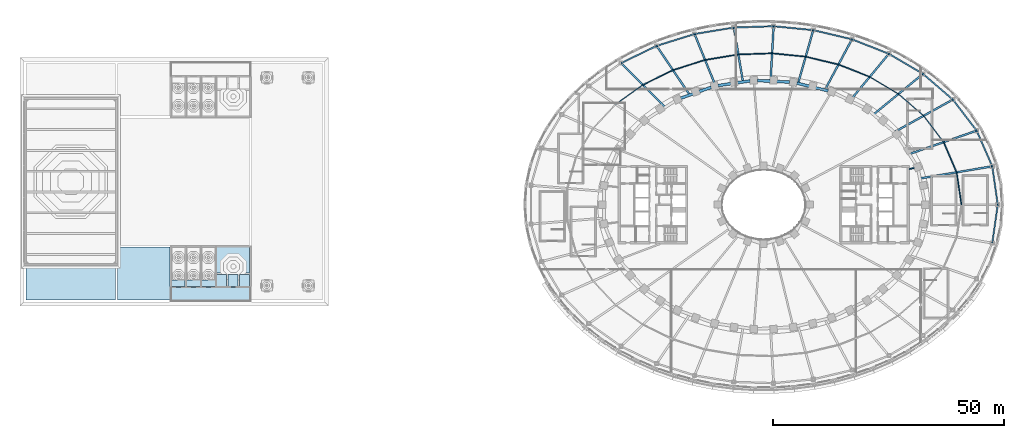
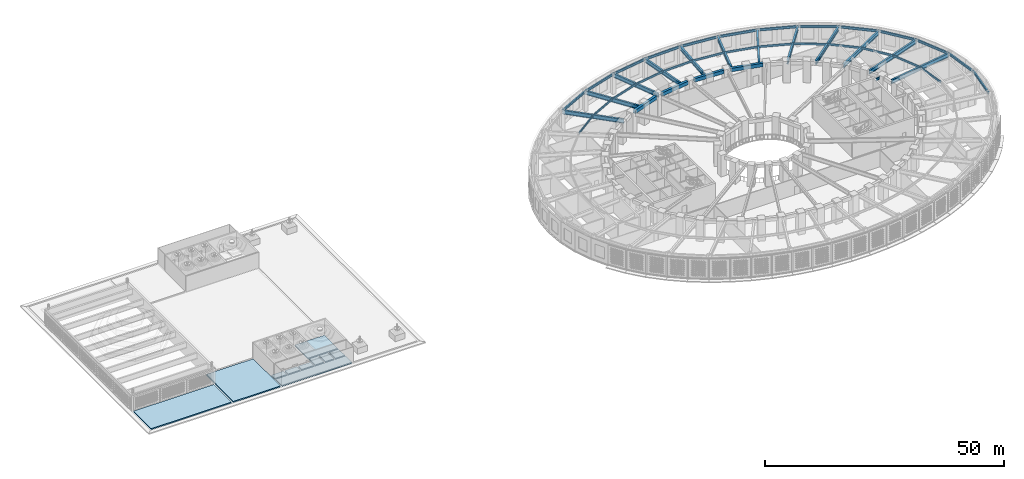
# One storey, part 5 of 63: 43 beams, 10 slabs.
"""IFC4 building model written with IfcOpenShell, lengths in metres."""

from ifc_helpers import new_model, si_unit, direction, frame, origin, origin_2d, place, context, subcontext, project, spatial, polyline, rectangle, i_section, outline, extrude, material, layer, layer_set, material_profile, profile_set, type_object, element, save


model = new_model("IFC4")

# Units and contexts
model_context = context("Model", 3, precision=1e-05, world=origin(), true_north=direction((0.0, 1.0)))
body_context = subcontext(model_context, "Body", "Model", "MODEL_VIEW")
ifc_project = project(units=[si_unit("LENGTHUNIT", "METRE"), si_unit("AREAUNIT", "SQUARE_METRE"), si_unit("VOLUMEUNIT", "CUBIC_METRE"), si_unit("PLANEANGLEUNIT", "RADIAN"), si_unit("MASSUNIT", "GRAM", prefix="KILO")], contexts=[model_context])

# Site, building, storey
site_placement = place(None, origin())
site = spatial("IfcSite", under=ifc_project, at=site_placement, CompositionType="ELEMENT")
building_placement = place(site_placement, origin())
building = spatial("IfcBuilding", under=site, at=building_placement, Name="Noorbagh Ring Tower", CompositionType="ELEMENT")
storey_placement = place(building_placement, frame((0.0, 0.0, 25.0)))
storey = spatial("IfcBuildingStorey", under=building, at=storey_placement, Name="L04", CompositionType="ELEMENT", Elevation=25.0)

# Beams
ifc_material_1 = material(Name="Steel S355", Category="steel")
ifc_material_profile_1 = material_profile(ifc_material_1, i_section(OverallWidth=0.300048828125, OverallDepth=0.60009765625, WebThickness=0.015380859375, FlangeThickness=0.030029296875, FilletRadius=0.027099609375, at=origin_2d()), Name="HEB600")
ifc_profile_set_1 = profile_set([ifc_material_profile_1], Name="Steel S355")
beam_type_1 = type_object("IfcBeamType", Name="GND-EDGE-BEAM-HEB600", PredefinedType="BEAM", material=ifc_profile_set_1)
beam_1_placement = place(storey_placement, frame((50.646484375, 0.0, 4.89990234375), z_axis=(-0.14132764164, 0.989962876934, 0.0), x_axis=(-0.989962876934, -0.14132764164, 0.0)))
element("IfcBeam", 1, at=beam_1_placement, inside=storey, type_object=beam_type_1, Name="L04/bm/ERP-01", PredefinedType="BEAM", context=body_context, shape_type="SweptSolid", body=[
    extrude(i_section(OverallWidth=0.300048828125, OverallDepth=0.60009765625, WebThickness=0.015380859375, FlangeThickness=0.030029296875, FilletRadius=0.027099609375, at=origin_2d()), origin(), (0.0, 0.0, 1.0), 8.388671875),
])
beam_2_placement = place(storey_placement, frame((49.4609375, 8.304443359375, 4.89990234375), z_axis=(-0.401171506371, 0.916002959862, 0.0), x_axis=(-0.916002959862, -0.401171506371, 0.0)))
element("IfcBeam", 2, at=beam_2_placement, inside=storey, type_object=beam_type_1, Name="L04/bm/ERP-02", PredefinedType="BEAM", context=body_context, shape_type="SweptSolid", body=[
    extrude(i_section(OverallWidth=0.300048828125, OverallDepth=0.60009765625, WebThickness=0.015380859375, FlangeThickness=0.030029296875, FilletRadius=0.027099609375, at=origin_2d()), origin(), (0.0, 0.0, 1.0), 8.42431640625),
])
beam_3_placement = place(storey_placement, frame((46.081298828125, 16.021240234375, 4.89990234375), z_axis=(-0.608048680374, 0.793899743227, 0.0), x_axis=(-0.793899743227, -0.608048680374, 0.0)))
element("IfcBeam", 3, at=beam_3_placement, inside=storey, type_object=beam_type_1, Name="L04/bm/ERP-03", PredefinedType="BEAM", context=body_context, shape_type="SweptSolid", body=[
    extrude(i_section(OverallWidth=0.300048828125, OverallDepth=0.60009765625, WebThickness=0.015380859375, FlangeThickness=0.030029296875, FilletRadius=0.027099609375, at=origin_2d()), origin(), (0.0, 0.0, 1.0), 8.4755859375),
])
beam_4_placement = place(storey_placement, frame((40.927734375, 22.75, 4.89990234375), z_axis=(-0.758254861469, 0.651958254076, 0.0), x_axis=(-0.651958254076, -0.758254861469, 0.0)))
element("IfcBeam", 4, at=beam_4_placement, inside=storey, type_object=beam_type_1, Name="L04/bm/ERP-04", PredefinedType="BEAM", context=body_context, shape_type="SweptSolid", body=[
    extrude(i_section(OverallWidth=0.300048828125, OverallDepth=0.60009765625, WebThickness=0.015380859375, FlangeThickness=0.030029296875, FilletRadius=0.027099609375, at=origin_2d()), origin(), (0.0, 0.0, 1.0), 8.5234375),
])
beam_5_placement = place(storey_placement, frame((34.46484375, 28.306884765625, 4.89990234375), z_axis=(-0.8618652907, 0.507137279922, 0.0), x_axis=(-0.507137279922, -0.8618652907, 0.0)))
element("IfcBeam", 5, at=beam_5_placement, inside=storey, type_object=beam_type_1, Name="L04/bm/ERP-05", PredefinedType="BEAM", context=body_context, shape_type="SweptSolid", body=[
    extrude(i_section(OverallWidth=0.300048828125, OverallDepth=0.60009765625, WebThickness=0.015380859375, FlangeThickness=0.030029296875, FilletRadius=0.027099609375, at=origin_2d()), origin(), (0.0, 0.0, 1.0), 8.560302734375),
])
beam_6_placement = place(storey_placement, frame((27.0869140625, 32.648193359375, 4.89990234375), z_axis=(-0.930571668723, 0.366109777758, 0.0), x_axis=(-0.366109777758, -0.930571668723, 0.0)))
element("IfcBeam", 6, at=beam_6_placement, inside=storey, type_object=beam_type_1, Name="L04/bm/ERP-06", PredefinedType="BEAM", context=body_context, shape_type="SweptSolid", body=[
    extrude(i_section(OverallWidth=0.300048828125, OverallDepth=0.60009765625, WebThickness=0.015380859375, FlangeThickness=0.030029296875, FilletRadius=0.027099609375, at=origin_2d()), origin(), (0.0, 0.0, 1.0), 8.58642578125),
])
beam_7_placement = place(storey_placement, frame((19.0966796875, 35.791748046875, 4.89990234375), z_axis=(-0.973167977411, 0.230095822957, 0.0), x_axis=(-0.230095822957, -0.973167977411, 0.0)))
element("IfcBeam", 7, at=beam_7_placement, inside=storey, type_object=beam_type_1, Name="L04/bm/ERP-07", PredefinedType="BEAM", context=body_context, shape_type="SweptSolid", body=[
    extrude(i_section(OverallWidth=0.300048828125, OverallDepth=0.60009765625, WebThickness=0.015380859375, FlangeThickness=0.030029296875, FilletRadius=0.027099609375, at=origin_2d()), origin(), (0.0, 0.0, 1.0), 8.602783203125),
])
beam_8_placement = place(storey_placement, frame((10.724609375, 37.771240234375, 4.89990234375), z_axis=(-0.9951967317, 0.097895174616, 0.0), x_axis=(-0.097895174616, -0.9951967317, 0.0)))
element("IfcBeam", 8, at=beam_8_placement, inside=storey, type_object=beam_type_1, Name="L04/bm/ERP-08", PredefinedType="BEAM", context=body_context, shape_type="SweptSolid", body=[
    extrude(i_section(OverallWidth=0.300048828125, OverallDepth=0.60009765625, WebThickness=0.015380859375, FlangeThickness=0.030029296875, FilletRadius=0.027099609375, at=origin_2d()), origin(), (0.0, 0.0, 1.0), 8.611328125),
])
beam_9_placement = place(storey_placement, frame((2.154541015625, 38.6142578125, 4.89990234375), z_axis=(-0.999468589483, -0.032596604688, 0.0), x_axis=(0.032596604688, -0.999468589483, 0.0)))
element("IfcBeam", 9, at=beam_9_placement, inside=storey, type_object=beam_type_1, Name="L04/bm/ERP-09", PredefinedType="BEAM", context=body_context, shape_type="SweptSolid", body=[
    extrude(i_section(OverallWidth=0.300048828125, OverallDepth=0.60009765625, WebThickness=0.015380859375, FlangeThickness=0.030029296875, FilletRadius=0.027099609375, at=origin_2d()), origin(), (0.0, 0.0, 1.0), 8.61328125),
])
beam_10_placement = place(storey_placement, frame((-6.4541015625, 38.33349609375, 4.89990234375), z_axis=(-0.986523163949, -0.163621658075, 0.0), x_axis=(0.163621658075, -0.986523163949, 0.0)))
element("IfcBeam", 10, at=beam_10_placement, inside=storey, type_object=beam_type_1, Name="L04/bm/ERP-10", PredefinedType="BEAM", context=body_context, shape_type="SweptSolid", body=[
    extrude(i_section(OverallWidth=0.300048828125, OverallDepth=0.60009765625, WebThickness=0.015380859375, FlangeThickness=0.030029296875, FilletRadius=0.027099609375, at=origin_2d()), origin(), (0.0, 0.0, 1.0), 8.60791015625),
])
beam_11_placement = place(storey_placement, frame((-14.946044921875, 36.925048828125, 4.89990234375), z_axis=(-0.954717204091, -0.297514806713, 0.0), x_axis=(0.297514806713, -0.954717204091, 0.0)))
element("IfcBeam", 11, at=beam_11_placement, inside=storey, type_object=beam_type_1, Name="L04/bm/ERP-11", PredefinedType="BEAM", context=body_context, shape_type="SweptSolid", body=[
    extrude(i_section(OverallWidth=0.300048828125, OverallDepth=0.60009765625, WebThickness=0.015380859375, FlangeThickness=0.030029296875, FilletRadius=0.027099609375, at=origin_2d()), origin(), (0.0, 0.0, 1.0), 8.595703125),
])
beam_12_placement = place(storey_placement, frame((-23.152587890625, 34.36767578125, 4.89990234375), z_axis=(-0.89994920641, -0.435994754421, 0.0), x_axis=(0.435994754421, -0.89994920641, 0.0)))
element("IfcBeam", 12, at=beam_12_placement, inside=storey, type_object=beam_type_1, Name="L04/bm/ERP-12", PredefinedType="BEAM", context=body_context, shape_type="SweptSolid", body=[
    extrude(i_section(OverallWidth=0.300048828125, OverallDepth=0.60009765625, WebThickness=0.015380859375, FlangeThickness=0.030029296875, FilletRadius=0.027099609375, at=origin_2d()), origin(), (0.0, 0.0, 1.0), 8.57470703125),
])
beam_13_placement = place(storey_placement, frame((49.4609375, -8.304443359375, 4.89990234375), z_axis=(0.14132764164, 0.989962876934, 0.0), x_axis=(-0.989962876934, 0.14132764164, 0.0)))
element("IfcBeam", 13, at=beam_13_placement, inside=storey, type_object=beam_type_1, Name="L04/bm/ERP-33", PredefinedType="BEAM", context=body_context, shape_type="SweptSolid", body=[
    extrude(i_section(OverallWidth=0.300048828125, OverallDepth=0.60009765625, WebThickness=0.015380859375, FlangeThickness=0.030029296875, FilletRadius=0.027099609375, at=origin_2d()), origin(), (0.0, 0.0, 1.0), 8.388671875),
])
ifc_material_2 = material(Name="Steel S355", Category="steel")
ifc_material_profile_2 = material_profile(ifc_material_2, i_section(OverallWidth=0.39990234375, OverallDepth=1.0, WebThickness=0.01611328125, FlangeThickness=0.0400390625, at=origin_2d()), Name="PG1000x400x16x40")
ifc_profile_set_2 = profile_set([ifc_material_profile_2], Name="Steel S355")
beam_type_2 = type_object("IfcBeamType", Name="GND-GIRDER-PG1000x400x16x40", PredefinedType="BEAM", material=ifc_profile_set_2)
beam_14_placement = place(storey_placement, frame((49.4609375, 8.304443359375, 4.699951171875), z_axis=(-0.986194768087, -0.165589490602, 0.0), x_axis=(0.165589490602, -0.986194768087, 0.0)))
element("IfcBeam", 14, at=beam_14_placement, inside=storey, type_object=beam_type_2, Name="L04/bm/GRP-02", PredefinedType="BEAM", context=body_context, shape_type="SweptSolid", body=[
    extrude(i_section(OverallWidth=0.39990234375, OverallDepth=1.0, WebThickness=0.01611328125, FlangeThickness=0.0400390625, at=origin_2d()), origin(), (0.0, 0.0, 1.0), 15.62841796875),
])
beam_15_placement = place(storey_placement, frame((46.081298828125, 16.021240234375, 4.699951171875), z_axis=(-0.94453989429, -0.328396693185, 0.0), x_axis=(0.328396693185, -0.94453989429, 0.0)))
element("IfcBeam", 15, at=beam_15_placement, inside=storey, type_object=beam_type_2, Name="L04/bm/GRP-03", PredefinedType="BEAM", context=body_context, shape_type="SweptSolid", body=[
    extrude(i_section(OverallWidth=0.39990234375, OverallDepth=1.0, WebThickness=0.01611328125, FlangeThickness=0.0400390625, at=origin_2d()), origin(), (0.0, 0.0, 1.0), 15.12890625),
])
beam_16_placement = place(storey_placement, frame((40.927734375, 22.75, 4.699951171875), z_axis=(-0.874045637009, -0.485843827197, 0.0), x_axis=(0.485843827197, -0.874045637009, 0.0)))
element("IfcBeam", 16, at=beam_16_placement, inside=storey, type_object=beam_type_2, Name="L04/bm/GRP-04", PredefinedType="BEAM", context=body_context, shape_type="SweptSolid", body=[
    extrude(i_section(OverallWidth=0.39990234375, OverallDepth=1.0, WebThickness=0.01611328125, FlangeThickness=0.0400390625, at=origin_2d()), origin(), (0.0, 0.0, 1.0), 14.444580078125),
])
beam_17_placement = place(storey_placement, frame((34.46484375, 28.306884765625, 4.699951171875), z_axis=(-0.772763025599, -0.63469465593, 0.0), x_axis=(0.63469465593, -0.772763025599, 0.0)))
element("IfcBeam", 17, at=beam_17_placement, inside=storey, type_object=beam_type_2, Name="L04/bm/GRP-05", PredefinedType="BEAM", context=body_context, shape_type="SweptSolid", body=[
    extrude(i_section(OverallWidth=0.39990234375, OverallDepth=1.0, WebThickness=0.01611328125, FlangeThickness=0.0400390625, at=origin_2d()), origin(), (0.0, 0.0, 1.0), 13.723388671875),
])
beam_18_placement = place(storey_placement, frame((27.0869140625, 32.648193359375, 4.699951171875), z_axis=(-0.638516852805, -0.769607840841, 0.0), x_axis=(0.769607840841, -0.638516852805, 0.0)))
element("IfcBeam", 18, at=beam_18_placement, inside=storey, type_object=beam_type_2, Name="L04/bm/GRP-06", PredefinedType="BEAM", context=body_context, shape_type="SweptSolid", body=[
    extrude(i_section(OverallWidth=0.39990234375, OverallDepth=1.0, WebThickness=0.01611328125, FlangeThickness=0.0400390625, at=origin_2d()), origin(), (0.0, 0.0, 1.0), 12.943603515625),
])
beam_19_placement = place(storey_placement, frame((19.0966796875, 35.791748046875, 4.699951171875), z_axis=(-0.470746944877, -0.88226827773, 0.0), x_axis=(0.88226827773, -0.470746944877, 0.0)))
element("IfcBeam", 19, at=beam_19_placement, inside=storey, type_object=beam_type_2, Name="L04/bm/GRP-07", PredefinedType="BEAM", context=body_context, shape_type="SweptSolid", body=[
    extrude(i_section(OverallWidth=0.39990234375, OverallDepth=1.0, WebThickness=0.01611328125, FlangeThickness=0.0400390625, at=origin_2d()), origin(), (0.0, 0.0, 1.0), 12.375),
])
beam_20_placement = place(storey_placement, frame((10.724609375, 37.771240234375, 4.699951171875), z_axis=(-0.273130016452, -0.961977127645, 0.0), x_axis=(0.961977127645, -0.273130016452, 0.0)))
element("IfcBeam", 20, at=beam_20_placement, inside=storey, type_object=beam_type_2, Name="L04/bm/GRP-08", PredefinedType="BEAM", context=body_context, shape_type="SweptSolid", body=[
    extrude(i_section(OverallWidth=0.39990234375, OverallDepth=1.0, WebThickness=0.01611328125, FlangeThickness=0.0400390625, at=origin_2d()), origin(), (0.0, 0.0, 1.0), 11.939208984375),
])
beam_21_placement = place(storey_placement, frame((2.154541015625, 38.6142578125, 4.699951171875), z_axis=(-0.055716608816, -0.998446623261, 0.0), x_axis=(0.998446623261, -0.055716608816, 0.0)))
element("IfcBeam", 21, at=beam_21_placement, inside=storey, type_object=beam_type_2, Name="L04/bm/GRP-09", PredefinedType="BEAM", context=body_context, shape_type="SweptSolid", body=[
    extrude(i_section(OverallWidth=0.39990234375, OverallDepth=1.0, WebThickness=0.01611328125, FlangeThickness=0.0400390625, at=origin_2d()), origin(), (0.0, 0.0, 1.0), 11.734619140625),
])
beam_22_placement = place(storey_placement, frame((-6.4541015625, 38.33349609375, 4.699951171875), z_axis=(0.166032765637, -0.986120236449, 0.0), x_axis=(0.986120236449, 0.166032765637, 0.0)))
element("IfcBeam", 22, at=beam_22_placement, inside=storey, type_object=beam_type_2, Name="L04/bm/GRP-10", PredefinedType="BEAM", context=body_context, shape_type="SweptSolid", body=[
    extrude(i_section(OverallWidth=0.39990234375, OverallDepth=1.0, WebThickness=0.01611328125, FlangeThickness=0.0400390625, at=origin_2d()), origin(), (0.0, 0.0, 1.0), 11.82373046875),
])
beam_23_placement = place(storey_placement, frame((-14.946044921875, 36.925048828125, 4.699951171875), z_axis=(0.375201842514, -0.926943135998, 0.0), x_axis=(0.926943135998, 0.375201842514, 0.0)))
element("IfcBeam", 23, at=beam_23_placement, inside=storey, type_object=beam_type_2, Name="L04/bm/GRP-11", PredefinedType="BEAM", context=body_context, shape_type="SweptSolid", body=[
    extrude(i_section(OverallWidth=0.39990234375, OverallDepth=1.0, WebThickness=0.01611328125, FlangeThickness=0.0400390625, at=origin_2d()), origin(), (0.0, 0.0, 1.0), 12.094970703125),
])
beam_24_placement = place(storey_placement, frame((-23.152587890625, 34.36767578125, 4.699951171875), z_axis=(0.558711358029, -0.829362175656, 0.0), x_axis=(0.829362175656, 0.558711358029, 0.0)))
element("IfcBeam", 24, at=beam_24_placement, inside=storey, type_object=beam_type_2, Name="L04/bm/GRP-12", PredefinedType="BEAM", context=body_context, shape_type="SweptSolid", body=[
    extrude(i_section(OverallWidth=0.39990234375, OverallDepth=1.0, WebThickness=0.01611328125, FlangeThickness=0.0400390625, at=origin_2d()), origin(), (0.0, 0.0, 1.0), 12.6630859375),
])
beam_25_placement = place(storey_placement, frame((-30.869384765625, 30.629150390625, 4.699951171875), z_axis=(0.70986613718, -0.704336615039, 0.0), x_axis=(0.704336615039, 0.70986613718, 0.0)))
element("IfcBeam", 25, at=beam_25_placement, inside=storey, type_object=beam_type_2, Name="L04/bm/GRP-13", PredefinedType="BEAM", context=body_context, shape_type="SweptSolid", body=[
    extrude(i_section(OverallWidth=0.39990234375, OverallDepth=1.0, WebThickness=0.01611328125, FlangeThickness=0.0400390625, at=origin_2d()), origin(), (0.0, 0.0, 1.0), 13.333984375),
])
ifc_material_3 = material(Name="Steel S355", Category="steel")
ifc_material_profile_3 = material_profile(ifc_material_3, i_section(OverallWidth=0.199951171875, OverallDepth=0.5, WebThickness=0.01025390625, FlangeThickness=0.01611328125, FilletRadius=0.02099609375, at=origin_2d()), Name="IPE500")
ifc_profile_set_3 = profile_set([ifc_material_profile_3], Name="Steel S355")
beam_type_3 = type_object("IfcBeamType", Name="GND-MID-BEAM-IPE500", PredefinedType="JOIST", material=ifc_profile_set_3)
beam_26_placement = place(storey_placement, frame((42.795654296875, 0.0, 4.949951171875), z_axis=(-0.146883230649, 0.989153838669, 0.0), x_axis=(-0.989153838669, -0.146883230649, 0.0)))
element("IfcBeam", 26, at=beam_26_placement, inside=storey, type_object=beam_type_3, Name="L04/bm/MRP-01", PredefinedType="JOIST", context=body_context, shape_type="SweptSolid", body=[
    extrude(i_section(OverallWidth=0.199951171875, OverallDepth=0.5, WebThickness=0.01025390625, FlangeThickness=0.01611328125, FilletRadius=0.02099609375, at=origin_2d()), origin(), (0.0, 0.0, 1.0), 7.08740234375),
])
beam_27_placement = place(storey_placement, frame((41.754638671875, 7.010498046875, 4.949951171875), z_axis=(-0.396441936779, 0.918059796943, 0.0), x_axis=(-0.918059796943, -0.396441936779, 0.0)))
element("IfcBeam", 27, at=beam_27_placement, inside=storey, type_object=beam_type_3, Name="L04/bm/MRP-02", PredefinedType="JOIST", context=body_context, shape_type="SweptSolid", body=[
    extrude(i_section(OverallWidth=0.199951171875, OverallDepth=0.5, WebThickness=0.01025390625, FlangeThickness=0.01611328125, FilletRadius=0.02099609375, at=origin_2d()), origin(), (0.0, 0.0, 1.0), 7.109130859375),
])
beam_28_placement = place(storey_placement, frame((38.936279296875, 13.537109375, 4.949951171875), z_axis=(-0.603852432952, 0.79709612922, 0.0), x_axis=(-0.79709612922, -0.603852432952, 0.0)))
element("IfcBeam", 28, at=beam_28_placement, inside=storey, type_object=beam_type_3, Name="L04/bm/MRP-03", PredefinedType="JOIST", context=body_context, shape_type="SweptSolid", body=[
    extrude(i_section(OverallWidth=0.199951171875, OverallDepth=0.5, WebThickness=0.01025390625, FlangeThickness=0.01611328125, FilletRadius=0.02099609375, at=origin_2d()), origin(), (0.0, 0.0, 1.0), 7.15576171875),
])
beam_29_placement = place(storey_placement, frame((34.615234375, 19.240966796875, 4.949951171875), z_axis=(-0.756711012056, 0.653749527138, 0.0), x_axis=(-0.653749527138, -0.756711012056, 0.0)))
element("IfcBeam", 29, at=beam_29_placement, inside=storey, type_object=beam_type_3, Name="L04/bm/MRP-04", PredefinedType="JOIST", context=body_context, shape_type="SweptSolid", body=[
    extrude(i_section(OverallWidth=0.199951171875, OverallDepth=0.5, WebThickness=0.01025390625, FlangeThickness=0.01611328125, FilletRadius=0.02099609375, at=origin_2d()), origin(), (0.0, 0.0, 1.0), 7.2060546875),
])
beam_30_placement = place(storey_placement, frame((29.162353515625, 23.951904296875, 4.949951171875), z_axis=(-0.858046251749, 0.513572419293, 0.0), x_axis=(-0.513572419293, -0.858046251749, 0.0)))
element("IfcBeam", 30, at=beam_30_placement, inside=storey, type_object=beam_type_3, Name="L04/bm/MRP-05", PredefinedType="JOIST", context=body_context, shape_type="SweptSolid", body=[
    extrude(i_section(OverallWidth=0.199951171875, OverallDepth=0.5, WebThickness=0.01025390625, FlangeThickness=0.01611328125, FilletRadius=0.02099609375, at=origin_2d()), origin(), (0.0, 0.0, 1.0), 7.23486328125),
])
beam_31_placement = place(storey_placement, frame((22.95458984375, 27.66748046875, 4.949951171875), z_axis=(-0.930496782909, 0.36630006415, 0.0), x_axis=(-0.36630006415, -0.930496782909, 0.0)))
element("IfcBeam", 31, at=beam_31_placement, inside=storey, type_object=beam_type_3, Name="L04/bm/MRP-06", PredefinedType="JOIST", context=body_context, shape_type="SweptSolid", body=[
    extrude(i_section(OverallWidth=0.199951171875, OverallDepth=0.5, WebThickness=0.01025390625, FlangeThickness=0.01611328125, FilletRadius=0.02099609375, at=origin_2d()), origin(), (0.0, 0.0, 1.0), 7.276123046875),
])
beam_32_placement = place(storey_placement, frame((16.18408203125, 30.332763671875, 4.949951171875), z_axis=(-0.972568186564, 0.23261797541, 0.0), x_axis=(-0.23261797541, -0.972568186564, 0.0)))
element("IfcBeam", 32, at=beam_32_placement, inside=storey, type_object=beam_type_3, Name="L04/bm/MRP-07", PredefinedType="JOIST", context=body_context, shape_type="SweptSolid", body=[
    extrude(i_section(OverallWidth=0.199951171875, OverallDepth=0.5, WebThickness=0.01025390625, FlangeThickness=0.01611328125, FilletRadius=0.02099609375, at=origin_2d()), origin(), (0.0, 0.0, 1.0), 7.2900390625),
])
beam_33_placement = place(storey_placement, frame((9.093994140625, 32.028564453125, 4.949951171875), z_axis=(-0.99502493545, 0.099626190493, 0.0), x_axis=(-0.099626190493, -0.99502493545, 0.0)))
element("IfcBeam", 33, at=beam_33_placement, inside=storey, type_object=beam_type_3, Name="L04/bm/MRP-08", PredefinedType="JOIST", context=body_context, shape_type="SweptSolid", body=[
    extrude(i_section(OverallWidth=0.199951171875, OverallDepth=0.5, WebThickness=0.01025390625, FlangeThickness=0.01611328125, FilletRadius=0.02099609375, at=origin_2d()), origin(), (0.0, 0.0, 1.0), 7.302734375),
])
beam_34_placement = place(storey_placement, frame((1.82763671875, 32.756103515625, 4.949951171875), z_axis=(-0.999402620435, -0.034560125398, 0.0), x_axis=(0.034560125398, -0.999402620435, 0.0)))
element("IfcBeam", 34, at=beam_34_placement, inside=storey, type_object=beam_type_3, Name="L04/bm/MRP-09", PredefinedType="JOIST", context=body_context, shape_type="SweptSolid", body=[
    extrude(i_section(OverallWidth=0.199951171875, OverallDepth=0.5, WebThickness=0.01025390625, FlangeThickness=0.01611328125, FilletRadius=0.02099609375, at=origin_2d()), origin(), (0.0, 0.0, 1.0), 7.304443359375),
])
beam_35_placement = place(storey_placement, frame((-5.472412109375, 32.503662109375, 4.949951171875), z_axis=(-0.986756598534, -0.162207938309, 0.0), x_axis=(0.162207938309, -0.986756598534, 0.0)))
element("IfcBeam", 35, at=beam_35_placement, inside=storey, type_object=beam_type_3, Name="L04/bm/MRP-10", PredefinedType="JOIST", context=body_context, shape_type="SweptSolid", body=[
    extrude(i_section(OverallWidth=0.199951171875, OverallDepth=0.5, WebThickness=0.01025390625, FlangeThickness=0.01611328125, FilletRadius=0.02099609375, at=origin_2d()), origin(), (0.0, 0.0, 1.0), 7.30126953125),
])
beam_36_placement = place(storey_placement, frame((-12.677001953125, 31.3193359375, 4.949951171875), z_axis=(-0.9531202752, -0.302591706765, 0.0), x_axis=(0.302591706765, -0.9531202752, 0.0)))
element("IfcBeam", 36, at=beam_36_placement, inside=storey, type_object=beam_type_3, Name="L04/bm/MRP-11", PredefinedType="JOIST", context=body_context, shape_type="SweptSolid", body=[
    extrude(i_section(OverallWidth=0.199951171875, OverallDepth=0.5, WebThickness=0.01025390625, FlangeThickness=0.01611328125, FilletRadius=0.02099609375, at=origin_2d()), origin(), (0.0, 0.0, 1.0), 7.279296875),
])
beam_37_placement = place(storey_placement, frame((-19.614990234375, 29.11669921875, 4.949951171875), z_axis=(-0.898658812704, -0.438648308271, 0.0), x_axis=(0.438648308271, -0.898658812704, 0.0)))
element("IfcBeam", 37, at=beam_37_placement, inside=storey, type_object=beam_type_3, Name="L04/bm/MRP-12", PredefinedType="JOIST", context=body_context, shape_type="SweptSolid", body=[
    extrude(i_section(OverallWidth=0.199951171875, OverallDepth=0.5, WebThickness=0.01025390625, FlangeThickness=0.01611328125, FilletRadius=0.02099609375, at=origin_2d()), origin(), (0.0, 0.0, 1.0), 7.257080078125),
])
beam_38_placement = place(storey_placement, frame((-26.13671875, 25.933349609375, 4.949951171875), z_axis=(-0.813381743113, -0.581730298308, 0.0), x_axis=(0.581730298308, -0.813381743113, 0.0)))
element("IfcBeam", 38, at=beam_38_placement, inside=storey, type_object=beam_type_3, Name="L04/bm/MRP-13", PredefinedType="JOIST", context=body_context, shape_type="SweptSolid", body=[
    extrude(i_section(OverallWidth=0.199951171875, OverallDepth=0.5, WebThickness=0.01025390625, FlangeThickness=0.01611328125, FilletRadius=0.02099609375, at=origin_2d()), origin(), (0.0, 0.0, 1.0), 7.2255859375),
])
ifc_material_4 = material(Name="Steel S355", Category="steel")
ifc_material_profile_4 = material_profile(ifc_material_4, i_section(OverallWidth=0.219970703125, OverallDepth=0.60009765625, WebThickness=0.011962890625, FlangeThickness=0.01904296875, FilletRadius=0.02392578125, at=origin_2d()), Name="IPE600")
ifc_profile_set_4 = profile_set([ifc_material_profile_4], Name="Steel S355")
beam_type_4 = type_object("IfcBeamType", Name="STR-RAD-IPE600", PredefinedType="BEAM", material=ifc_profile_set_4)
beam_39_placement = place(storey_placement, frame((32.538818359375, 7.9619140625, 4.89990234375), z_axis=(-0.971330054052, -0.237734991315, 0.0), x_axis=(0.237734991315, -0.971330054052, 0.0)))
element("IfcBeam", 39, at=beam_39_placement, inside=storey, type_object=beam_type_4, Name="L04/bm/RD03", PredefinedType="BEAM", context=body_context, shape_type="SweptSolid", body=[
    extrude(i_section(OverallWidth=0.219970703125, OverallDepth=0.60009765625, WebThickness=0.011962890625, FlangeThickness=0.01904296875, FilletRadius=0.02392578125, at=origin_2d()), origin(), (0.0, 0.0, 1.0), 1.089599609375),
])
ifc_material_5 = material(Name="Concrete C40/50", Category="concrete")
ifc_material_profile_5 = material_profile(ifc_material_5, rectangle(XDim=0.60009765625, YDim=0.89990234375, at=origin_2d()), Name="RC600x900")
ifc_profile_set_5 = profile_set([ifc_material_profile_5], Name="Concrete C40/50")
beam_type_5 = type_object("IfcBeamType", Name="STR-SB-RC600x900-C40-50", PredefinedType="BEAM", material=ifc_profile_set_5)
beam_40_placement = place(storey_placement, frame((13.9482421875, 24.62890625, 4.75), z_axis=(-0.970827667704, 0.239778313491, 0.0), x_axis=(-0.239778313491, -0.970827667704, 0.0)))
element("IfcBeam", 40, at=beam_40_placement, inside=storey, type_object=beam_type_5, Name="L04/bm/SP09", PredefinedType="BEAM", context=body_context, shape_type="SweptSolid", body=[
    extrude(rectangle(XDim=0.60009765625, YDim=0.89990234375, at=origin_2d()), origin(), (0.0, 0.0, 1.0), 6.981689453125),
])
beam_41_placement = place(storey_placement, frame((5.62646484375, 26.528076171875, 4.75), z_axis=(-0.998867742854, 0.047573440964, 0.0), x_axis=(-0.047573440964, -0.998867742854, 0.0)))
element("IfcBeam", 41, at=beam_41_placement, inside=storey, type_object=beam_type_5, Name="L04/bm/SP11", PredefinedType="BEAM", context=body_context, shape_type="SweptSolid", body=[
    extrude(rectangle(XDim=0.60009765625, YDim=0.89990234375, at=origin_2d()), origin(), (0.0, 0.0, 1.0), 6.99462890625),
])
beam_42_placement = place(storey_placement, frame((-2.9189453125, 26.785888671875, 4.75), z_axis=(-0.989714845194, -0.143054273623, 0.0), x_axis=(0.143054273623, -0.989714845194, 0.0)))
element("IfcBeam", 42, at=beam_42_placement, inside=storey, type_object=beam_type_5, Name="L04/bm/SP13", PredefinedType="BEAM", context=body_context, shape_type="SweptSolid", body=[
    extrude(rectangle(XDim=0.60009765625, YDim=0.89990234375, at=origin_2d()), origin(), (0.0, 0.0, 1.0), 6.990234375),
])
beam_43_placement = place(storey_placement, frame((-11.351318359375, 25.408203125, 4.75), z_axis=(-0.941030272182, -0.338322371175, 0.0), x_axis=(0.338322371175, -0.941030272182, 0.0)))
element("IfcBeam", 43, at=beam_43_placement, inside=storey, type_object=beam_type_5, Name="L04/bm/SP15", PredefinedType="BEAM", context=body_context, shape_type="SweptSolid", body=[
    extrude(rectangle(XDim=0.60009765625, YDim=0.89990234375, at=origin_2d()), origin(), (0.0, 0.0, 1.0), 6.96728515625),
])

# Slabs
ifc_material_6 = material(Name="Concrete C40/50", Category="concrete")
ifc_layer_1 = layer(ifc_material_6, 0.300048828125)
ifc_layer_set_1 = layer_set([ifc_layer_1], Name="Concrete C40/50")
slab_type_1 = type_object("IfcSlabType", Name="TH-SLAB-FLOOR", PredefinedType="FLOOR", material=ifc_layer_set_1)
slab_1_placement = place(storey_placement, frame((0.0, 0.0, -0.300048828125)))
element("IfcSlab", 44, at=slab_1_placement, inside=storey, type_object=slab_type_1, Name="Floor slab", PredefinedType="FLOOR", context=body_context, shape_type="SweptSolid", body=[
    extrude(outline(polyline([(-128.39990234375, -20.60009765625), (-128.39990234375, -17.949951171875), (-128.39990234375, -17.64990234375), (-128.39990234375, -9.199951171875), (-139.699951171875, -9.199951171875), (-139.699951171875, -12.800048828125), (-139.699951171875, -13.199951171875), (-139.800048828125, -13.199951171875), (-139.800048828125, -20.60009765625), (-128.39990234375, -20.60009765625)])), origin(), (0.0, 0.0, 1.0), 0.300048828125),
])
slab_2_placement = place(storey_placement, frame((0.0, 0.0, -0.300048828125)))
element("IfcSlab", 45, at=slab_2_placement, inside=storey, type_object=slab_type_1, Name="Floor slab", PredefinedType="FLOOR", context=body_context, shape_type="SweptSolid", body=[
    extrude(outline(polyline([(-128.10009765625, -16.24951171875), (-128.10009765625, -17.64990234375), (-125.14990234375, -17.64990234375), (-125.14990234375, -16.24951171875), (-128.10009765625, -16.24951171875)])), origin(), (0.0, 0.0, 1.0), 0.300048828125),
])
slab_3_placement = place(storey_placement, frame((0.0, 0.0, -0.300048828125)))
element("IfcSlab", 46, at=slab_3_placement, inside=storey, type_object=slab_type_1, Name="Floor slab", PredefinedType="FLOOR", context=body_context, shape_type="SweptSolid", body=[
    extrude(outline(polyline([(-121.89990234375, -17.64990234375), (-121.89990234375, -16.24951171875), (-124.85009765625, -16.24951171875), (-124.85009765625, -17.64990234375), (-121.89990234375, -17.64990234375)])), origin(), (0.0, 0.0, 1.0), 0.300048828125),
])
slab_4_placement = place(storey_placement, frame((0.0, 0.0, -0.300048828125)))
element("IfcSlab", 47, at=slab_4_placement, inside=storey, type_object=slab_type_1, Name="Floor slab", PredefinedType="FLOOR", context=body_context, shape_type="SweptSolid", body=[
    extrude(outline(polyline([(-118.64990234375, -17.64990234375), (-118.64990234375, -16.24951171875), (-121.60009765625, -16.24951171875), (-121.60009765625, -17.64990234375), (-118.64990234375, -17.64990234375)])), origin(), (0.0, 0.0, 1.0), 0.300048828125),
])
slab_5_placement = place(storey_placement, frame((0.0, 0.0, -0.300048828125)))
element("IfcSlab", 48, at=slab_5_placement, inside=storey, type_object=slab_type_1, Name="Floor slab", PredefinedType="FLOOR", context=body_context, shape_type="SweptSolid", body=[
    extrude(outline(polyline([(-111.199951171875, -20.60009765625), (-111.199951171875, -17.949951171875), (-128.10009765625, -17.949951171875), (-128.10009765625, -20.60009765625), (-111.199951171875, -20.60009765625)])), origin(), (0.0, 0.0, 1.0), 0.300048828125),
])
slab_6_placement = place(storey_placement, frame((0.0, 0.0, -0.300048828125)))
element("IfcSlab", 49, at=slab_6_placement, inside=storey, type_object=slab_type_1, Name="Floor slab", PredefinedType="FLOOR", context=body_context, shape_type="SweptSolid", body=[
    extrude(outline(polyline([(-118.35009765625, -15.050048828125), (-118.35009765625, -17.64990234375), (-116.199951171875, -17.64990234375), (-116.199951171875, -15.050048828125), (-118.35009765625, -15.050048828125)])), origin(), (0.0, 0.0, 1.0), 0.300048828125),
])
slab_7_placement = place(storey_placement, frame((0.0, 0.0, -0.300048828125)))
element("IfcSlab", 50, at=slab_7_placement, inside=storey, type_object=slab_type_1, Name="Floor slab", PredefinedType="FLOOR", context=body_context, shape_type="SweptSolid", body=[
    extrude(outline(polyline([(-115.89990234375, -15.050048828125), (-115.89990234375, -17.64990234375), (-113.75, -17.64990234375), (-113.75, -15.050048828125), (-115.89990234375, -15.050048828125)])), origin(), (0.0, 0.0, 1.0), 0.300048828125),
])
slab_8_placement = place(storey_placement, frame((0.0, 0.0, -0.300048828125)))
element("IfcSlab", 51, at=slab_8_placement, inside=storey, type_object=slab_type_1, Name="Floor slab", PredefinedType="FLOOR", context=body_context, shape_type="SweptSolid", body=[
    extrude(outline(polyline([(-111.199951171875, -14.75), (-111.199951171875, -9.199951171875), (-118.35009765625, -9.199951171875), (-118.35009765625, -14.75), (-111.199951171875, -14.75)])), origin(), (0.0, 0.0, 1.0), 0.300048828125),
])
slab_9_placement = place(storey_placement, frame((0.0, 0.0, -0.300048828125)))
element("IfcSlab", 52, at=slab_9_placement, inside=storey, type_object=slab_type_1, Name="Floor slab", PredefinedType="FLOOR", context=body_context, shape_type="SweptSolid", body=[
    extrude(outline(polyline([(-113.449951171875, -15.050048828125), (-113.449951171875, -17.64990234375), (-111.199951171875, -17.64990234375), (-111.199951171875, -15.050048828125), (-113.449951171875, -15.050048828125)])), origin(), (0.0, 0.0, 1.0), 0.300048828125),
])
ifc_material_7 = material(Name="Concrete C40/50", Category="concrete")
ifc_layer_2 = layer(ifc_material_7, 0.300048828125)
ifc_layer_set_2 = layer_set([ifc_layer_2], Name="Concrete C40/50")
slab_type_2 = type_object("IfcSlabType", Name="TH-SLAB-ROOF", PredefinedType="ROOF", material=ifc_layer_set_2)
slab_10_placement = place(storey_placement, frame((0.0, 0.0, -0.300048828125)))
element("IfcSlab", 53, at=slab_10_placement, inside=storey, type_object=slab_type_2, Name="Roof slab", PredefinedType="ROOF", context=body_context, shape_type="SweptSolid", body=[
    extrude(outline(polyline([(-140.199951171875, -20.60009765625), (-140.199951171875, -13.199951171875), (-159.60009765625, -13.199951171875), (-159.60009765625, -20.60009765625), (-140.199951171875, -20.60009765625)])), origin(), (0.0, 0.0, 1.0), 0.300048828125),
])

save(model, "model.ifc")
